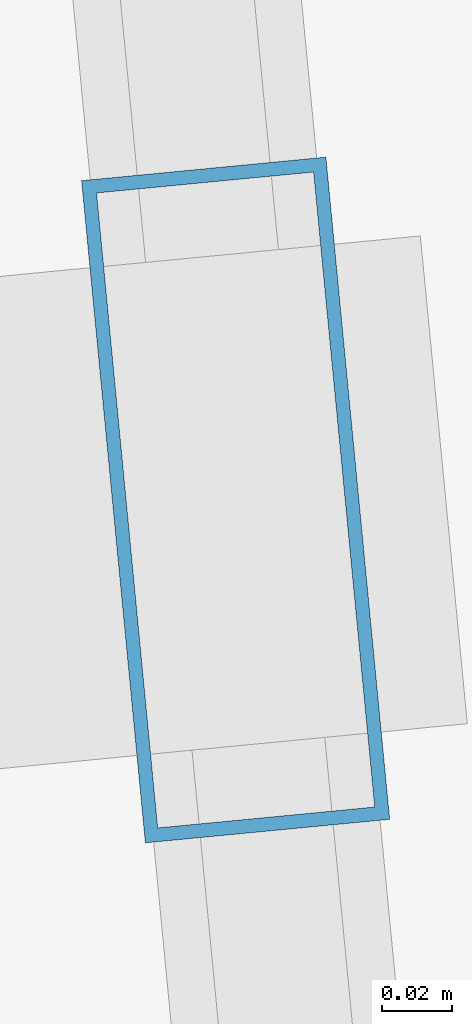
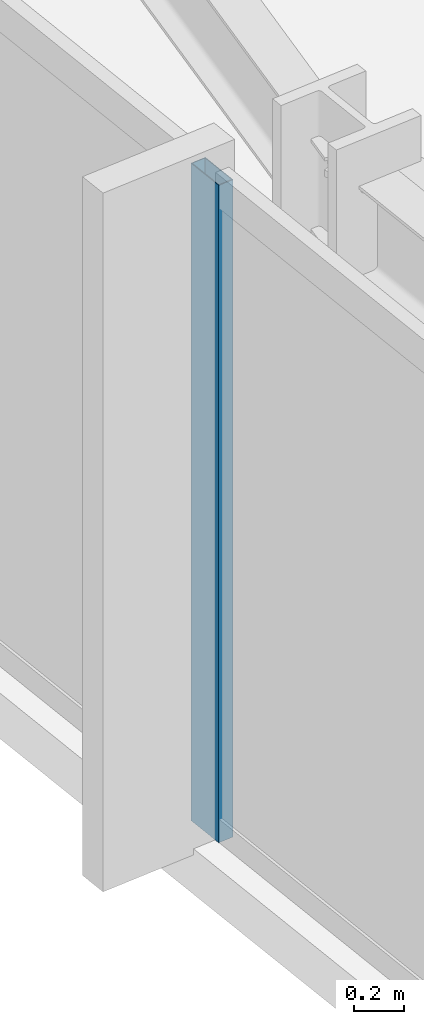
# One storey, part 8 of 32: 1 member, 1 element without a shape of its own.
"""IFC4 building model written with IfcOpenShell, lengths in metres."""

from ifc_helpers import new_model, si_unit, direction, frame, origin, origin_2d, place, context, subcontext, project, spatial, hollow_rectangle, extrude, material, material_profile, profile_set, type_object, element, aggregate, save


model = new_model("IFC4")

# Units and contexts
model_context = context("Model", 3, precision=1e-05, world=origin(), true_north=direction((0.0, 1.0)))
body_context = subcontext(model_context, "Body", "Model", "MODEL_VIEW")
ifc_project = project(units=[si_unit("LENGTHUNIT", "METRE"), si_unit("AREAUNIT", "SQUARE_METRE"), si_unit("VOLUMEUNIT", "CUBIC_METRE"), si_unit("PLANEANGLEUNIT", "RADIAN"), si_unit("MASSUNIT", "GRAM", prefix="KILO")], contexts=[model_context])

# Site, building, storey
site_placement = place(None, origin())
site = spatial("IfcSite", under=ifc_project, at=site_placement, CompositionType="ELEMENT")
building_placement = place(site_placement, origin())
building = spatial("IfcBuilding", under=site, at=building_placement, Name="Yelkora Congress Tower", CompositionType="ELEMENT")
storey_placement = place(building_placement, frame((0.0, 0.0, 113.5)))
storey = spatial("IfcBuildingStorey", under=building, at=storey_placement, Name="L30", CompositionType="ELEMENT", Elevation=113.5)

# Curtain wall, member
ifc_material_1 = material(Name="Anodised aluminium and insulated glass", Category="aluminium")
curtain_wall_type = type_object("IfcCurtainWallType", Name="CW-SYS-B2", PredefinedType="NOTDEFINED", material=ifc_material_1)
curtain_wall_placement = place(storey_placement, origin())
curtain_wall = element("IfcCurtainWall", 1, at=curtain_wall_placement, inside=storey, type_object=curtain_wall_type, Name="L30 Unitised Curtain Wall 5", PredefinedType="NOTDEFINED")
ifc_material_2 = material(Name="Anodised aluminium 6063-T6", Category="aluminium")
ifc_material_profile = material_profile(ifc_material_2, hollow_rectangle(XDim=0.070068359375, YDim=0.18994140625, WallThickness=0.00390625, at=origin_2d()), Name="ALU 70x190x4")
ifc_profile_set = profile_set([ifc_material_profile], Name="Anodised aluminium 6063-T6")
member_type = type_object("IfcMemberType", Name="MEM-ML-B2", PredefinedType="MULLION", material=ifc_profile_set)
member_placement = place(storey_placement, frame((14.47021484375, 35.0341796875, 0.0), z_axis=(0.0, 0.0, 1.0), x_axis=(-0.995396507508, -0.095842541913, 0.0)))
member = element("IfcMember", 2, at=member_placement, type_object=member_type, Name="CW-B2 mullion 4", PredefinedType="MULLION", context=body_context, shape_type="SweptSolid", body=[
    extrude(hollow_rectangle(XDim=0.070068359375, YDim=0.18994140625, WallThickness=0.00390625, at=origin_2d()), origin(), (0.0, 0.0, 1.0), 3.179931640625),
])
aggregate(curtain_wall, [member])

save(model, "model.ifc")
